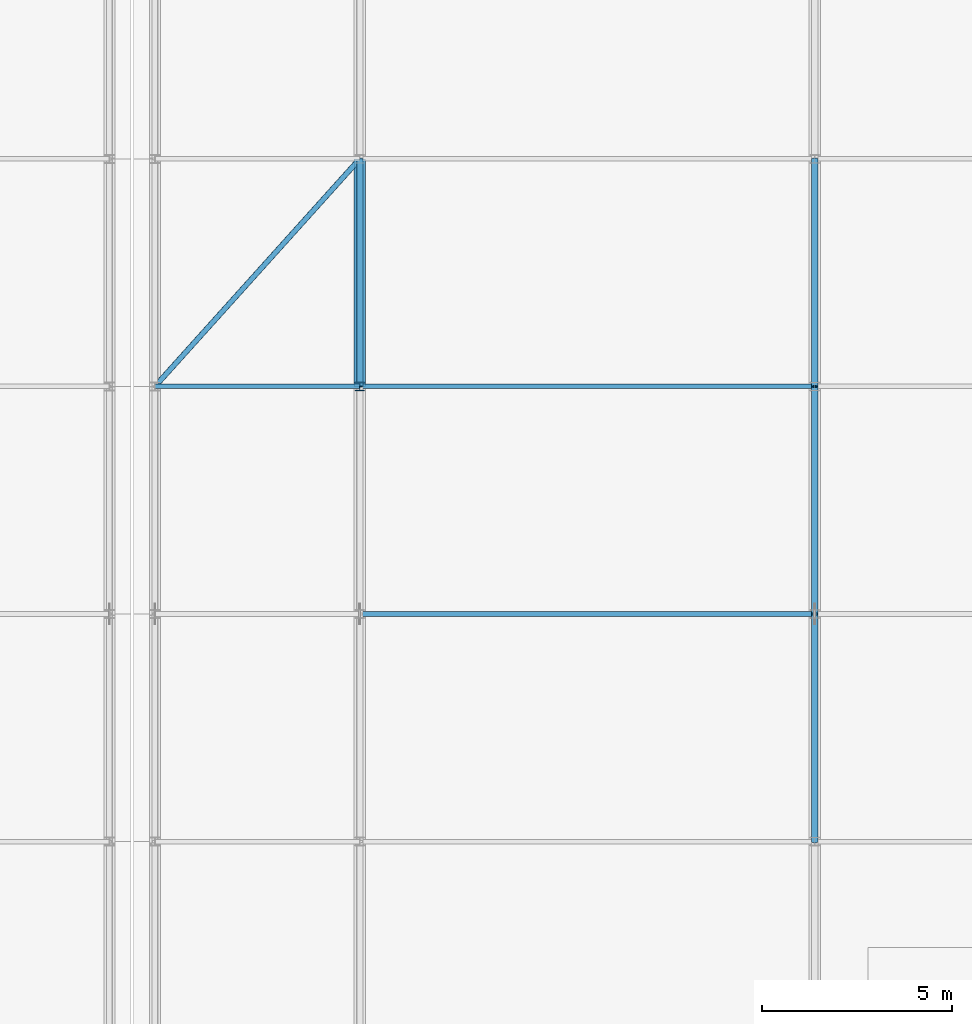
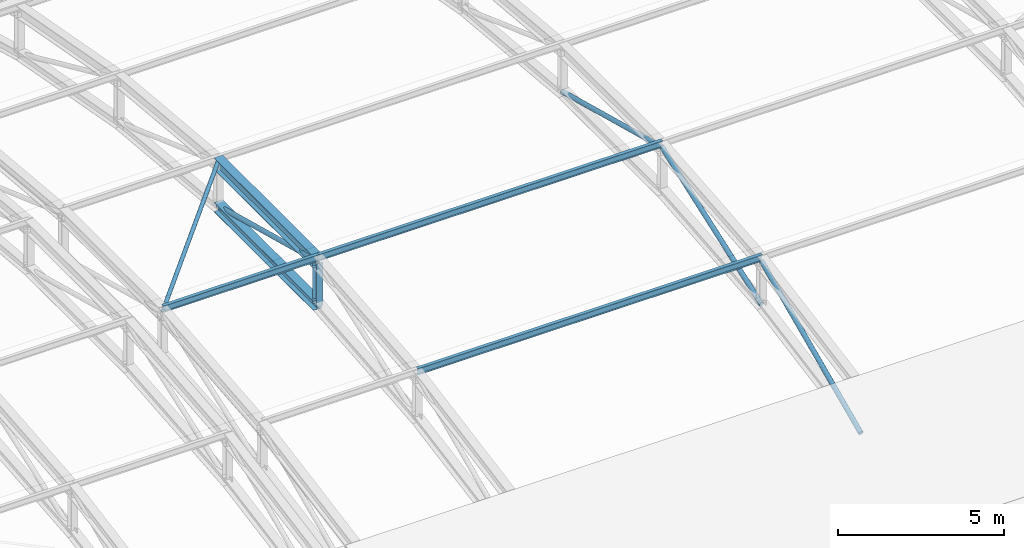
# One storey, part 97 of 204: 11 members.
"""IFC4 building model written with IfcOpenShell, lengths in metres."""

from ifc_helpers import new_model, si_unit, direction, frame, origin, origin_2d, place, context, subcontext, project, spatial, hollow_circle, i_section, extrude, material, material_profile, profile_set, type_object, element, save


model = new_model("IFC4")

# Units and contexts
model_context = context("Model", 3, precision=1e-05, world=origin(), true_north=direction((0.0, 1.0)))
body_context = subcontext(model_context, "Body", "Model", "MODEL_VIEW")
ifc_project = project(units=[si_unit("LENGTHUNIT", "METRE"), si_unit("AREAUNIT", "SQUARE_METRE"), si_unit("VOLUMEUNIT", "CUBIC_METRE"), si_unit("PLANEANGLEUNIT", "RADIAN"), si_unit("MASSUNIT", "GRAM", prefix="KILO")], contexts=[model_context])

# Site, building, storey
site_placement = place(None, origin())
site = spatial("IfcSite", under=ifc_project, at=site_placement, CompositionType="ELEMENT")
building_placement = place(site_placement, origin())
building = spatial("IfcBuilding", under=site, at=building_placement, Name="Zilviju Railside Exhibition Hall", CompositionType="ELEMENT")
storey_placement = place(building_placement, frame((0.0, 0.0, 21.0)))
storey = spatial("IfcBuildingStorey", under=building, at=storey_placement, Name="RF", CompositionType="ELEMENT", Elevation=21.0)

# Members
ifc_material = material(Name="Steel S355J2", Category="steel")
ifc_material_profile_1 = material_profile(ifc_material, hollow_circle(Radius=0.06982421875, WallThickness=0.00634765625, at=origin_2d()), Name="CHS 139.7x6.3")
ifc_profile_set_1 = profile_set([ifc_material_profile_1], Name="Steel S355J2")
member_type_1 = type_object("IfcMemberType", Name="TR-BR-CHS139", PredefinedType="BRACE", material=ifc_profile_set_1)
member_1_placement = place(storey_placement, frame((174.60009765625, 24.0, -0.604248046875), z_axis=(0.668958047626, 0.743300161789, 0.0), x_axis=(-0.743300161789, 0.668958047626, 0.0)))
element("IfcMember", 1, at=member_1_placement, inside=storey, type_object=member_type_1, Name="V1 Roof Wind Brace (174.6..180.0)", PredefinedType="BRACE", context=body_context, shape_type="SweptSolid", body=[
    extrude(hollow_circle(Radius=0.06982421875, WallThickness=0.00634765625, at=origin_2d()), origin(), (0.0, 0.0, 1.0), 8.072021484375),
])
ifc_material_profile_2 = material_profile(ifc_material, hollow_circle(Radius=0.084228515625, WallThickness=0.008056640625, at=origin_2d()), Name="CHS 168.3x8.0")
ifc_profile_set_2 = profile_set([ifc_material_profile_2], Name="Steel S355J2")
member_type_2 = type_object("IfcMemberType", Name="TR-BR-CHS168", PredefinedType="BRACE", material=ifc_profile_set_2)
member_2_placement = place(storey_placement, frame((180.0, 24.0, -0.669189453125), z_axis=(0.0, 0.966240812345, -0.257640626762), x_axis=(-1.0, 0.0, 0.0)))
element("IfcMember", 2, at=member_2_placement, inside=storey, type_object=member_type_2, Name="V1 Parabolic Arch Web Diagonal X=180.0 P5", PredefinedType="BRACE", context=body_context, shape_type="SweptSolid", body=[
    extrude(hollow_circle(Radius=0.084228515625, WallThickness=0.008056640625, at=origin_2d()), origin(), (0.0, 0.0, 1.0), 6.209716796875),
])
member_3_placement = place(storey_placement, frame((192.0, 12.0, -3.928466796875), z_axis=(0.0, 0.911563042822, 0.411160332425), x_axis=(-1.0, 0.0, 0.0)))
element("IfcMember", 3, at=member_3_placement, inside=storey, type_object=member_type_2, Name="V1 Parabolic Arch Web Diagonal X=192.0 P3", PredefinedType="BRACE", context=body_context, shape_type="SweptSolid", body=[
    extrude(hollow_circle(Radius=0.084228515625, WallThickness=0.008056640625, at=origin_2d()), origin(), (0.0, 0.0, 1.0), 6.58203125),
])
member_4_placement = place(storey_placement, frame((192.0, 18.0, -2.822265625), z_axis=(0.0, 0.94123307508, 0.337757751023), x_axis=(-1.0, 0.0, 0.0)))
element("IfcMember", 4, at=member_4_placement, inside=storey, type_object=member_type_2, Name="V1 Parabolic Arch Web Diagonal X=192.0 P4", PredefinedType="BRACE", context=body_context, shape_type="SweptSolid", body=[
    extrude(hollow_circle(Radius=0.084228515625, WallThickness=0.008056640625, at=origin_2d()), origin(), (0.0, 0.0, 1.0), 6.37451171875),
])
member_5_placement = place(storey_placement, frame((192.0, 24.0, -0.669189453125), z_axis=(0.0, 0.966240812345, -0.257640626762), x_axis=(-1.0, 0.0, 0.0)))
element("IfcMember", 5, at=member_5_placement, inside=storey, type_object=member_type_2, Name="V1 Parabolic Arch Web Diagonal X=192.0 P5", PredefinedType="BRACE", context=body_context, shape_type="SweptSolid", body=[
    extrude(hollow_circle(Radius=0.084228515625, WallThickness=0.008056640625, at=origin_2d()), origin(), (0.0, 0.0, 1.0), 6.209716796875),
])
ifc_material_profile_3 = material_profile(ifc_material, i_section(OverallWidth=0.300048828125, OverallDepth=0.360107421875, WebThickness=0.012451171875, FlangeThickness=0.0224609375, at=origin_2d()), Name="HEB 360")
ifc_profile_set_3 = profile_set([ifc_material_profile_3], Name="Steel S355J2")
member_type_3 = type_object("IfcMemberType", Name="TR-CH-HEB360", PredefinedType="CHORD", material=ifc_profile_set_3)
member_6_placement = place(storey_placement, frame((180.0, 24.0, -2.26904296875), z_axis=(0.0, 1.0, 0.0), x_axis=(-1.0, 0.0, 0.0)))
element("IfcMember", 6, at=member_6_placement, inside=storey, type_object=member_type_3, Name="V1 Parabolic Arch Bottom Chord X=180.0 P5", PredefinedType="CHORD", context=body_context, shape_type="SweptSolid", body=[
    extrude(i_section(OverallWidth=0.300048828125, OverallDepth=0.360107421875, WebThickness=0.012451171875, FlangeThickness=0.0224609375, at=origin_2d()), origin(), (0.0, 0.0, 1.0), 6.0),
])
ifc_material_profile_4 = material_profile(ifc_material, i_section(OverallWidth=0.300048828125, OverallDepth=0.449951171875, WebThickness=0.013916015625, FlangeThickness=0.02587890625, at=origin_2d()), Name="HEB 450")
ifc_profile_set_4 = profile_set([ifc_material_profile_4], Name="Steel S355J2")
member_type_4 = type_object("IfcMemberType", Name="TR-CH-HEB450", PredefinedType="CHORD", material=ifc_profile_set_4)
member_7_placement = place(storey_placement, frame((180.0, 24.0, -0.669189453125), z_axis=(0.0, 1.0, 0.0), x_axis=(-1.0, 0.0, 0.0)))
element("IfcMember", 7, at=member_7_placement, inside=storey, type_object=member_type_4, Name="V1 Parabolic Arch Top Chord X=180.0 P5", PredefinedType="CHORD", context=body_context, shape_type="SweptSolid", body=[
    extrude(i_section(OverallWidth=0.300048828125, OverallDepth=0.449951171875, WebThickness=0.013916015625, FlangeThickness=0.02587890625, at=origin_2d()), origin(), (0.0, 0.0, 1.0), 6.0),
])
ifc_material_profile_5 = material_profile(ifc_material, i_section(OverallWidth=0.239990234375, OverallDepth=0.22998046875, WebThickness=0.007568359375, FlangeThickness=0.011962890625, at=origin_2d()), Name="HEA 240")
ifc_profile_set_5 = profile_set([ifc_material_profile_5], Name="Steel S355J2")
member_type_5 = type_object("IfcMemberType", Name="TR-POST-HEA240", PredefinedType="POST", material=ifc_profile_set_5)
member_8_placement = place(storey_placement, frame((180.0, 24.0, -2.26904296875), z_axis=(0.0, 0.0, 1.0), x_axis=(1.0, 0.0, 0.0)))
element("IfcMember", 8, at=member_8_placement, inside=storey, type_object=member_type_5, Name="V1 Parabolic Arch Web Post X=180.0 N4", PredefinedType="POST", context=body_context, shape_type="SweptSolid", body=[
    extrude(i_section(OverallWidth=0.239990234375, OverallDepth=0.22998046875, WebThickness=0.007568359375, FlangeThickness=0.011962890625, at=origin_2d()), origin(), (0.0, 0.0, 1.0), 1.599853515625),
])
ifc_material_profile_6 = material_profile(ifc_material, i_section(OverallWidth=0.1201171875, OverallDepth=0.239990234375, WebThickness=0.006103515625, FlangeThickness=0.009765625, at=origin_2d()), Name="IPE 240")
ifc_profile_set_6 = profile_set([ifc_material_profile_6], Name="Steel S355J2")
member_type_6 = type_object("IfcMemberType", Name="TR-PUR-IPE240", PredefinedType="PURLIN", material=ifc_profile_set_6)
member_9_placement = place(storey_placement, frame((174.60009765625, 24.0, -0.515625), z_axis=(1.0, 0.0, 0.0), x_axis=(0.0, 1.0, 0.0)))
element("IfcMember", 9, at=member_9_placement, inside=storey, type_object=member_type_6, Name="V1 Barrel Vault Roof Purlin Y=24.0 (174.6..180.0)", PredefinedType="PURLIN", context=body_context, shape_type="SweptSolid", body=[
    extrude(i_section(OverallWidth=0.1201171875, OverallDepth=0.239990234375, WebThickness=0.006103515625, FlangeThickness=0.009765625, at=origin_2d()), origin(), (0.0, 0.0, 1.0), 5.39990234375),
])
for number, where, z_axis, x_axis, name in (
    (10, (180.0, 18.0, -1.0771484375), (1.0, 0.0, 0.0), (0.0, 1.0, 0.0), "V1 Barrel Vault Roof Purlin Y=18.0 (180.0..192.0)"),
    (11, (180.0, 24.0, -0.515625), (1.0, 0.0, 0.0), (0.0, 1.0, 0.0), "V1 Barrel Vault Roof Purlin Y=24.0 (180.0..192.0)"),
):
    element("IfcMember", number, at=place(storey_placement, frame(where, z_axis=z_axis, x_axis=x_axis)), inside=storey, type_object=member_type_6, Name=name, PredefinedType="PURLIN", context=body_context, shape_type="SweptSolid", body=[
        extrude(i_section(OverallWidth=0.1201171875, OverallDepth=0.239990234375, WebThickness=0.006103515625, FlangeThickness=0.009765625, at=origin_2d()), origin(), (0.0, 0.0, 1.0), 12.0),
    ])

save(model, "model.ifc")
